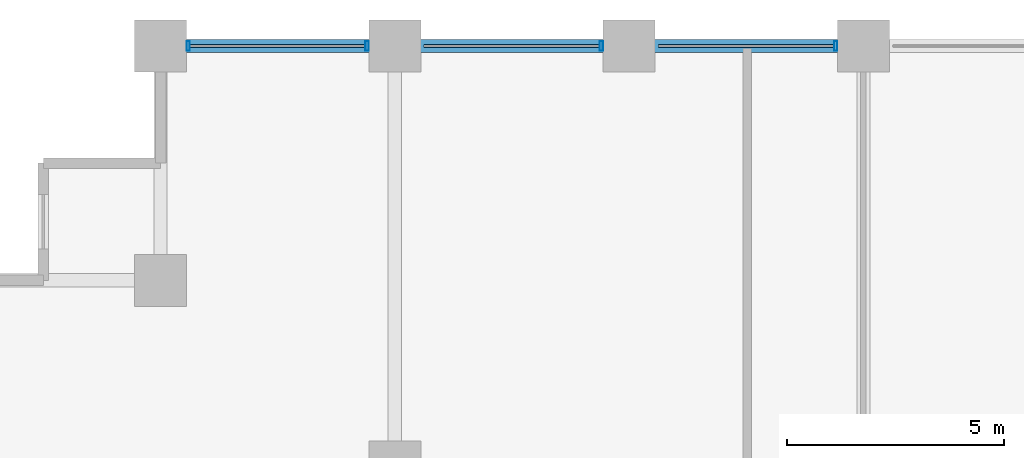
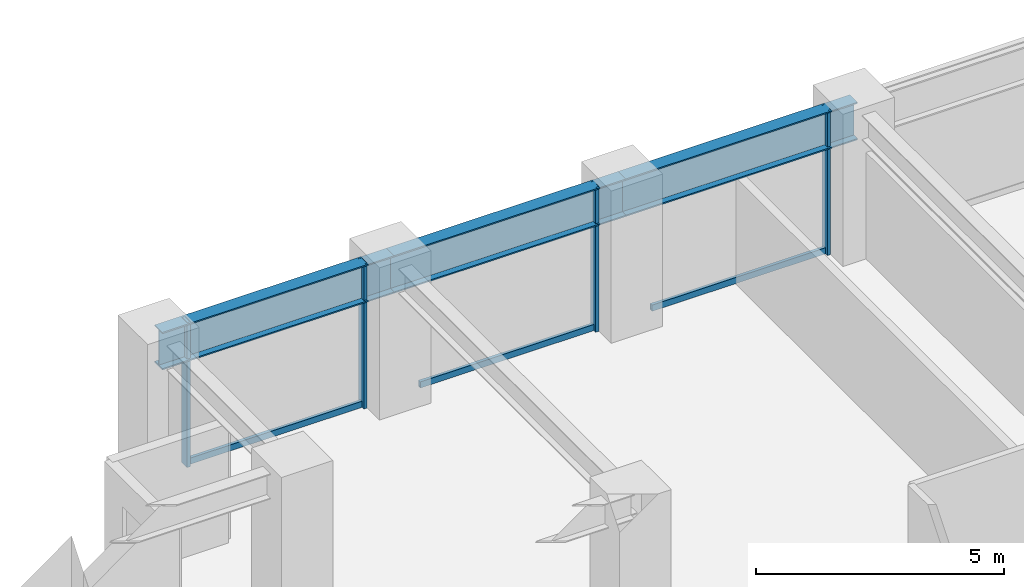
# One storey, part 11 of 26: 7 members, 3 beams, 1 element without a shape of its own.
"""IFC4 building model written with IfcOpenShell, lengths in metres."""

from ifc_helpers import new_model, si_unit, direction, frame, origin, origin_2d, place, context, subcontext, project, spatial, hollow_rectangle, i_section, extrude, material, layer, layer_set, material_profile, profile_set, type_object, element, aggregate, save


model = new_model("IFC4")

# Units and contexts
model_context = context("Model", 3, precision=1e-05, world=origin(), true_north=direction((0.0, 1.0)))
body_context = subcontext(model_context, "Body", "Model", "MODEL_VIEW")
ifc_project = project(units=[si_unit("LENGTHUNIT", "METRE"), si_unit("AREAUNIT", "SQUARE_METRE"), si_unit("VOLUMEUNIT", "CUBIC_METRE"), si_unit("PLANEANGLEUNIT", "RADIAN"), si_unit("MASSUNIT", "GRAM", prefix="KILO")], contexts=[model_context])

# Site, building, storey
site_placement = place(None, origin())
site = spatial("IfcSite", under=ifc_project, at=site_placement, CompositionType="ELEMENT")
building_placement = place(site_placement, origin())
building = spatial("IfcBuilding", under=site, at=building_placement, Name="Surkhivell Harbour Commons", CompositionType="ELEMENT")
storey_placement = place(building_placement, frame((0.0, 0.0, 71.25)))
storey = spatial("IfcBuildingStorey", under=building, at=storey_placement, Name="L18", CompositionType="ELEMENT", Elevation=71.25)

# Beams
ifc_material_1 = material(Name="Steel S460", Category="steel")
ifc_material_profile_1 = material_profile(ifc_material_1, i_section(OverallWidth=0.30810546875, OverallDepth=0.927001953125, WebThickness=0.01953125, FlangeThickness=0.031982421875, at=origin_2d()), Name="UB914x305x289")
ifc_profile_set_1 = profile_set([ifc_material_profile_1], Name="Steel S460")
beam_type = type_object("IfcBeamType", Name="BM-SPN-914B", PredefinedType="SPANDREL", material=ifc_profile_set_1)
beam_1_placement = place(storey_placement, frame((-27.0, 25.89990234375, 3.1064453125), z_axis=(1.0, 0.0, 0.0), x_axis=(0.0, 1.0, 0.0)))
element("IfcBeam", 1, at=beam_1_placement, inside=storey, type_object=beam_type, Name="L18 Tube Spandrel (-27.0,25.9)", PredefinedType="SPANDREL", context=body_context, shape_type="SweptSolid", body=[
    extrude(i_section(OverallWidth=0.30810546875, OverallDepth=0.927001953125, WebThickness=0.01953125, FlangeThickness=0.031982421875, at=origin_2d()), origin(), (0.0, 0.0, 1.0), 5.39990234375),
])
beam_2_placement = place(storey_placement, frame((-21.60009765625, 25.89990234375, 3.1064453125), z_axis=(1.0, 0.0, 0.0), x_axis=(0.0, 1.0, 0.0)))
element("IfcBeam", 2, at=beam_2_placement, inside=storey, type_object=beam_type, Name="L18 Tube Spandrel (-21.6,25.9)", PredefinedType="SPANDREL", context=body_context, shape_type="SweptSolid", body=[
    extrude(i_section(OverallWidth=0.30810546875, OverallDepth=0.927001953125, WebThickness=0.01953125, FlangeThickness=0.031982421875, at=origin_2d()), origin(), (0.0, 0.0, 1.0), 5.400146484375),
])
beam_3_placement = place(storey_placement, frame((-16.199951171875, 25.89990234375, 3.1064453125), z_axis=(1.0, 0.0, 0.0), x_axis=(0.0, 1.0, 0.0)))
element("IfcBeam", 3, at=beam_3_placement, inside=storey, type_object=beam_type, Name="L18 Tube Spandrel (-16.2,25.9)", PredefinedType="SPANDREL", context=body_context, shape_type="SweptSolid", body=[
    extrude(i_section(OverallWidth=0.30810546875, OverallDepth=0.927001953125, WebThickness=0.01953125, FlangeThickness=0.031982421875, at=origin_2d()), origin(), (0.0, 0.0, 1.0), 5.39990234375),
])

# Curtain wall, members
ifc_material_2 = material(Name="Anodised pale-metal aluminium and insulated glazing", Category="aluminium")
ifc_layer = layer(ifc_material_2, 0.219970703125)
ifc_layer_set = layer_set([ifc_layer], Name="Anodised pale-metal aluminium and insulated glazing")
curtain_wall_type = type_object("IfcCurtainWallType", Name="CW-SYS-Z1", PredefinedType="NOTDEFINED", material=ifc_layer_set)
curtain_wall_placement = place(storey_placement, origin())
curtain_wall = element("IfcCurtainWall", 4, at=curtain_wall_placement, inside=storey, type_object=curtain_wall_type, Name="L18 Curtain Wall CW-L18-E07S2", PredefinedType="NOTDEFINED")
ifc_material_3 = material(Name="Anodised pale-metal aluminium alloy 6063-T6", Category="aluminium")
ifc_material_profile_2 = material_profile(ifc_material_3, hollow_rectangle(XDim=0.074951171875, YDim=0.219970703125, WallThickness=0.00390625, at=origin_2d()), Name="ALU-MULL-75x220")
ifc_profile_set_2 = profile_set([ifc_material_profile_2], Name="Anodised pale-metal aluminium alloy 6063-T6")
member_type_1 = type_object("IfcMemberType", Name="CWM-220", PredefinedType="MULLION", material=ifc_profile_set_2)
member_1_placement = place(storey_placement, frame((-11.439453125, 25.89990234375, 0.0), z_axis=(0.0, 0.0, 1.0), x_axis=(-1.0, 0.0, 0.0)))
member_1 = element("IfcMember", 5, at=member_1_placement, type_object=member_type_1, Name="CW-Z1 mullion 2", PredefinedType="MULLION", context=body_context, shape_type="SweptSolid", body=[
    extrude(hollow_rectangle(XDim=0.074951171875, YDim=0.219970703125, WallThickness=0.00390625, at=origin_2d()), origin(), (0.0, 0.0, 1.0), 3.570068359375),
])
member_2_placement = place(storey_placement, frame((-16.839599609375, 25.89990234375, 0.0), z_axis=(0.0, 0.0, 1.0), x_axis=(-1.0, 0.0, 0.0)))
member_2 = element("IfcMember", 6, at=member_2_placement, type_object=member_type_1, Name="CW-Z1 mullion 3", PredefinedType="MULLION", context=body_context, shape_type="SweptSolid", body=[
    extrude(hollow_rectangle(XDim=0.074951171875, YDim=0.219970703125, WallThickness=0.00390625, at=origin_2d()), origin(), (0.0, 0.0, 1.0), 3.570068359375),
])
member_3_placement = place(storey_placement, frame((-22.239501953125, 25.89990234375, 0.0), z_axis=(0.0, 0.0, 1.0), x_axis=(-1.0, 0.0, 0.0)))
member_3 = element("IfcMember", 7, at=member_3_placement, type_object=member_type_1, Name="CW-Z1 mullion 4", PredefinedType="MULLION", context=body_context, shape_type="SweptSolid", body=[
    extrude(hollow_rectangle(XDim=0.074951171875, YDim=0.219970703125, WallThickness=0.00390625, at=origin_2d()), origin(), (0.0, 0.0, 1.0), 3.570068359375),
])
member_4_placement = place(storey_placement, frame((-26.360595703125, 25.89990234375, 0.0), z_axis=(0.0, 0.0, 1.0), x_axis=(-1.0, 0.0, 0.0)))
member_4 = element("IfcMember", 8, at=member_4_placement, type_object=member_type_1, Name="CW-Z1 mullion 5", PredefinedType="MULLION", context=body_context, shape_type="SweptSolid", body=[
    extrude(hollow_rectangle(XDim=0.074951171875, YDim=0.219970703125, WallThickness=0.00390625, at=origin_2d()), origin(), (0.0, 0.0, 1.0), 3.570068359375),
])
ifc_material_profile_3 = material_profile(ifc_material_3, hollow_rectangle(XDim=0.074951171875, YDim=0.14990234375, WallThickness=0.00341796875, at=origin_2d()), Name="ALU-TRAN-75x150")
ifc_profile_set_3 = profile_set([ifc_material_profile_3], Name="Anodised pale-metal aluminium alloy 6063-T6")
member_type_2 = type_object("IfcMemberType", Name="CWT-150", PredefinedType="USERDEFINED", material=ifc_profile_set_3)
member_5_placement = place(storey_placement, frame((-11.47705078125, 25.89990234375, 0.074951171875), z_axis=(-1.0, 0.0, 0.0), x_axis=(0.0, -1.0, 0.0)))
member_5 = element("IfcMember", 9, at=member_5_placement, type_object=member_type_2, Name="CW-Z1 transom 2.1", ObjectType="TRANSOM", PredefinedType="USERDEFINED", context=body_context, shape_type="SweptSolid", body=[
    extrude(hollow_rectangle(XDim=0.074951171875, YDim=0.14990234375, WallThickness=0.00341796875, at=origin_2d()), origin(), (0.0, 0.0, 1.0), 4.0458984375),
])
member_6_placement = place(storey_placement, frame((-16.876953125, 25.89990234375, 0.074951171875), z_axis=(-1.0, 0.0, 0.0), x_axis=(0.0, -1.0, 0.0)))
member_6 = element("IfcMember", 10, at=member_6_placement, type_object=member_type_2, Name="CW-Z1 transom 3.1", ObjectType="TRANSOM", PredefinedType="USERDEFINED", context=body_context, shape_type="SweptSolid", body=[
    extrude(hollow_rectangle(XDim=0.074951171875, YDim=0.14990234375, WallThickness=0.00341796875, at=origin_2d()), origin(), (0.0, 0.0, 1.0), 4.046142578125),
])
member_7_placement = place(storey_placement, frame((-22.277099609375, 25.89990234375, 0.074951171875), z_axis=(-1.0, 0.0, 0.0), x_axis=(0.0, -1.0, 0.0)))
member_7 = element("IfcMember", 11, at=member_7_placement, type_object=member_type_2, Name="CW-Z1 transom 4.1", ObjectType="TRANSOM", PredefinedType="USERDEFINED", context=body_context, shape_type="SweptSolid", body=[
    extrude(hollow_rectangle(XDim=0.074951171875, YDim=0.14990234375, WallThickness=0.00341796875, at=origin_2d()), origin(), (0.0, 0.0, 1.0), 4.0458984375),
])
aggregate(curtain_wall, [member_1, member_5, member_2, member_6, member_3, member_4, member_7])

save(model, "model.ifc")
